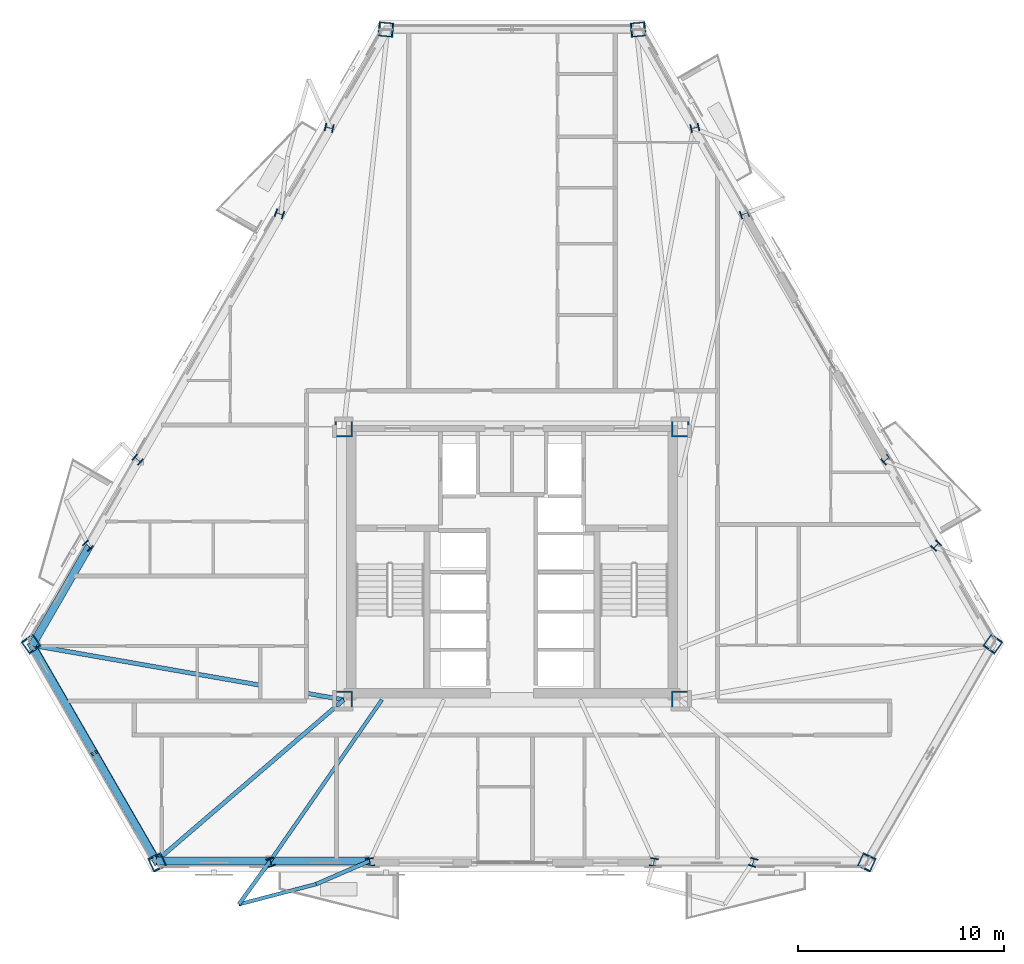
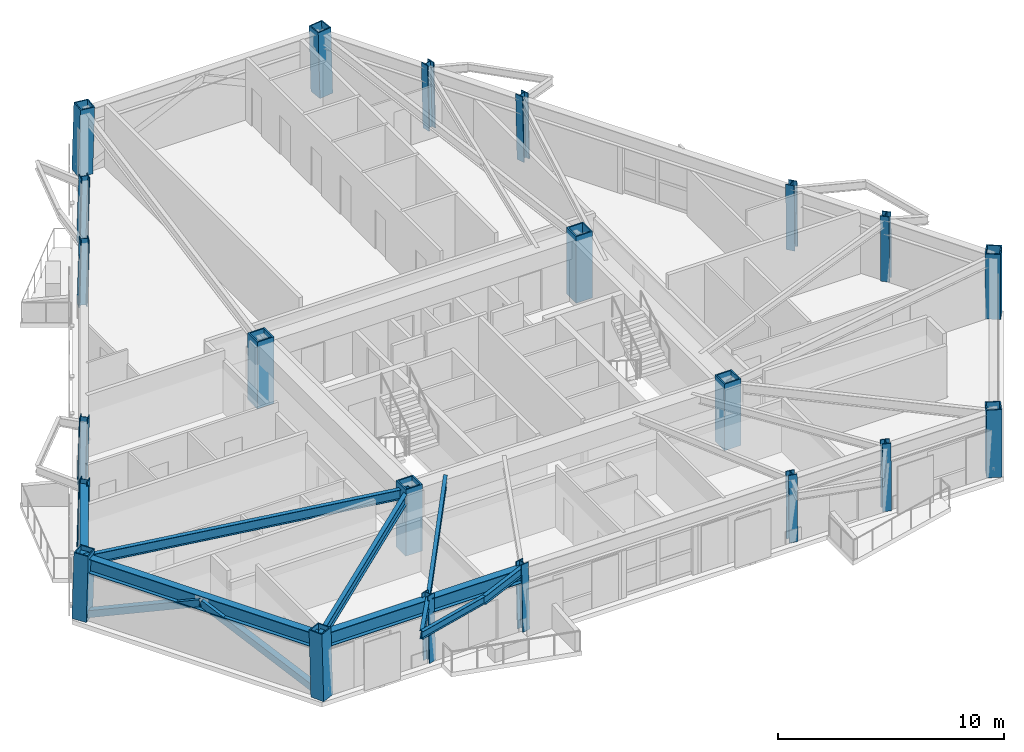
# One storey, part 1 of 15: 22 columns, 10 beams, 2 members.
"""IFC4 building model written with IfcOpenShell, lengths in metres."""

from ifc_helpers import new_model, si_unit, direction, frame, origin, origin_2d, place, context, subcontext, project, spatial, hollow_rectangle, i_section, extrude, material, material_profile, profile_set, type_object, element, save


model = new_model("IFC4")

# Units and contexts
model_context = context("Model", 3, precision=1e-05, world=origin(), true_north=direction((0.0, 1.0)))
body_context = subcontext(model_context, "Body", "Model", "MODEL_VIEW")
ifc_project = project(units=[si_unit("LENGTHUNIT", "METRE"), si_unit("AREAUNIT", "SQUARE_METRE"), si_unit("VOLUMEUNIT", "CUBIC_METRE"), si_unit("PLANEANGLEUNIT", "RADIAN"), si_unit("MASSUNIT", "GRAM", prefix="KILO")], contexts=[model_context])

# Site, building, storey
site_placement = place(None, origin())
site = spatial("IfcSite", under=ifc_project, at=site_placement, CompositionType="ELEMENT")
building_placement = place(site_placement, origin())
building = spatial("IfcBuilding", under=site, at=building_placement, Name="Oramaril Tower", CompositionType="ELEMENT")
storey_placement = place(building_placement, frame((0.0, 0.0, 93.300048828125)))
storey = spatial("IfcBuildingStorey", under=building, at=storey_placement, Name="L24", CompositionType="ELEMENT", Elevation=93.300048828125)

# Columns
ifc_material_1 = material(Name="Steel ASTM A572 Gr 50", Category="steel")
ifc_material_profile_1 = material_profile(ifc_material_1, hollow_rectangle(XDim=0.85009765625, YDim=0.85009765625, WallThickness=0.070068359375, at=origin_2d()), Name="BOX850X850X70")
ifc_profile_set_1 = profile_set([ifc_material_profile_1], Name="Steel ASTM A572 Gr 50")
column_type_1 = type_object("IfcColumnType", Name="CT-CC3", PredefinedType="COLUMN", material=ifc_profile_set_1)
for number, where, z_axis, x_axis, name in (
    (1, (29.35009765625, 11.0, 0.0), (0.0, 0.0, 1.0), (1.0, 0.0, 0.0), "L24 Core Column CC-1"),
    (2, (45.64990234375, 11.0, 0.0), (0.0, 0.0, 1.0), (1.0, 0.0, 0.0), "L24 Core Column CC-2"),
    (3, (45.64990234375, 24.14990234375, 0.0), (0.0, 0.0, 1.0), (1.0, 0.0, 0.0), "L24 Core Column CC-3"),
    (4, (29.35009765625, 24.14990234375, 0.0), (0.0, 0.0, 1.0), (1.0, 0.0, 0.0), "L24 Core Column CC-4"),
):
    element("IfcColumn", number, at=place(storey_placement, frame(where, z_axis=z_axis, x_axis=x_axis)), inside=storey, type_object=column_type_1, Name=name, PredefinedType="COLUMN", context=body_context, shape_type="SweptSolid", body=[
        extrude(hollow_rectangle(XDim=0.85009765625, YDim=0.85009765625, WallThickness=0.070068359375, at=origin_2d()), origin(), (0.0, 0.0, 1.0), 3.599853515625),
    ])
ifc_material_2 = material(Name="Steel ASTM A572 Gr 50", Category="steel")
ifc_material_profile_2 = material_profile(ifc_material_2, hollow_rectangle(XDim=0.699951171875, YDim=0.699951171875, WallThickness=0.054931640625, at=origin_2d()), Name="BOX700X700X55")
ifc_profile_set_2 = profile_set([ifc_material_profile_2], Name="Steel ASTM A572 Gr 50")
column_type_2 = type_object("IfcColumnType", Name="CT-TC4", PredefinedType="COLUMN", material=ifc_profile_set_2)
for number, where, z_axis, x_axis, name in (
    (5, (14.197265625, 13.71826171875, 0.00439453125), (0.015766870975, -0.022019250844, 0.999633211919), (0.81305469343, 0.582187311345, 0.0), "L24 Tube Column TC-01"),
    (6, (20.322021484375, 3.110107421875, 0.00439453125), (-0.011281473235, 0.024601766935, 0.999633673615), (-0.908985549323, -0.41682762759, 0.0), "L24 Tube Column TC-02"),
    (7, (54.677978515625, 3.110107421875, 0.00439453125), (0.011281473235, 0.024601766935, 0.999633673615), (-0.908985549323, 0.41682762759, 0.0), "L24 Tube Column TC-03"),
    (8, (60.802734375, 13.71826171875, 0.00439453125), (-0.015766870975, -0.022019250844, 0.999633211919), (0.81305469343, -0.582187311345, 0.0), "L24 Tube Column TC-04"),
    (9, (43.624755859375, 43.4716796875, 0.00439453125), (-0.026980362585, -0.00258250322, 0.999632627875), (0.095282394813, -0.995450282655, 0.0), "L24 Tube Column TC-05"),
    (10, (31.375244140625, 43.4716796875, 0.00439453125), (0.026980362585, -0.00258250322, 0.999632627875), (0.095282394813, 0.995450282655, 0.0), "L24 Tube Column TC-06"),
):
    element("IfcColumn", number, at=place(storey_placement, frame(where, z_axis=z_axis, x_axis=x_axis)), inside=storey, type_object=column_type_2, Name=name, PredefinedType="COLUMN", context=body_context, shape_type="SweptSolid", body=[
        extrude(hollow_rectangle(XDim=0.699951171875, YDim=0.699951171875, WallThickness=0.054931640625, at=origin_2d()), origin(), (0.0, 0.0, 1.0), 3.59228515625),
    ])
ifc_material_3 = material(Name="Steel ASTM A572 Gr 50", Category="steel")
ifc_material_profile_3 = material_profile(ifc_material_3, i_section(OverallWidth=0.404052734375, OverallDepth=0.406005859375, WebThickness=0.027099609375, FlangeThickness=0.043701171875, at=origin_2d()), Name="W14X233")
ifc_profile_set_3 = profile_set([ifc_material_profile_3], Name="Steel ASTM A572 Gr 50")
column_type_3 = type_object("IfcColumnType", Name="CT-TF3", PredefinedType="COLUMN", material=ifc_profile_set_3)
for number, where, z_axis, x_axis, name in (
    (11, (25.81884765625, 3.110107421875, 0.00439453125), (-0.007611860289, 0.024602619864, 0.999668330337), (-0.955321380053, -0.295569045762, 0.0), "L24 Tube Column TC-07"),
    (12, (30.62890625, 3.110107421875, 0.00439453125), (-0.004553608277, 0.024603077558, 0.999686927606), (-0.983300012762, -0.181991991312, 0.0), "L24 Tube Column TC-08"),
    (13, (44.37109375, 3.110107421875, 0.00439453125), (0.004553608277, 0.024603077558, 0.999686927606), (-0.983300012762, 0.181991991312, 0.0), "L24 Tube Column TC-09"),
    (14, (49.18115234375, 3.110107421875, 0.00439453125), (0.007611860289, 0.024602619864, 0.999668330337), (-0.955321380053, 0.295569045762, 0.0), "L24 Tube Column TC-10"),
    (15, (58.05419921875, 18.478759765625, 0.00439453125), (-0.017534453352, -0.018893713302, 0.99966773007), (0.732981277975, -0.680248811934, 0.0), "L24 Tube Column TC-11"),
    (16, (55.6494140625, 22.644287109375, 0.00439453125), (-0.019097965867, -0.01617550134, 0.999686761369), (0.64630736586, -0.763077184061, 0.0), "L24 Tube Column TC-12"),
    (17, (48.778076171875, 34.545654296875, 0.00439453125), (-0.023583599292, -0.008427568623, 0.999686345776), (0.336508304847, -0.941680498242, 0.0), "L24 Tube Column TC-13"),
    (18, (46.373291015625, 38.711181640625, 0.00439453125), (-0.02521422263, -0.005708880595, 0.999665769975), (0.220825652598, -0.975313298974, 0.0), "L24 Tube Column TC-14"),
    (19, (28.626708984375, 38.711181640625, 0.00439453125), (0.02521422263, -0.005708880595, 0.999665769975), (0.220825652598, 0.975313298974, 0.0), "L24 Tube Column TC-15"),
    (20, (26.221923828125, 34.545654296875, 0.00439453125), (0.023583599292, -0.008427568623, 0.999686345776), (0.336508304847, 0.941680498242, 0.0), "L24 Tube Column TC-16"),
    (21, (19.3505859375, 22.644287109375, 0.00439453125), (0.019097965867, -0.01617550134, 0.999686761369), (0.64630736586, 0.763077184061, 0.0), "L24 Tube Column TC-17"),
    (22, (16.94580078125, 18.478759765625, 0.00439453125), (0.017534453352, -0.018893713302, 0.99966773007), (0.732981277975, 0.680248811934, 0.0), "L24 Tube Column TC-18"),
):
    element("IfcColumn", number, at=place(storey_placement, frame(where, z_axis=z_axis, x_axis=x_axis)), inside=storey, type_object=column_type_3, Name=name, PredefinedType="COLUMN", context=body_context, shape_type="SweptSolid", body=[
        extrude(i_section(OverallWidth=0.404052734375, OverallDepth=0.406005859375, WebThickness=0.027099609375, FlangeThickness=0.043701171875, at=origin_2d()), origin(), (0.0, 0.0, 1.0), 3.59228515625),
    ])

# Beams
ifc_material_4 = material(Name="Steel ASTM A572 Gr 50", Category="steel")
ifc_material_profile_4 = material_profile(ifc_material_4, i_section(OverallWidth=0.19091796875, OverallDepth=0.45703125, WebThickness=0.009033203125, FlangeThickness=0.014404296875, at=origin_2d()), Name="W18X50")
ifc_profile_set_4 = profile_set([ifc_material_profile_4], Name="Steel ASTM A572 Gr 50")
beam_type_1 = type_object("IfcBeamType", Name="BT-BB1", PredefinedType="BEAM", material=ifc_profile_set_4)
beam_1_placement = place(storey_placement, frame((25.79150390625, 3.198486328125, 3.13134765625), z_axis=(-0.585572820924, -0.810619806935, 0.0), x_axis=(0.810619806935, -0.585572820924, 0.0)))
element("IfcBeam", 23, at=beam_1_placement, inside=storey, type_object=beam_type_1, Name="L24 Balcony Column-Framed Cantilever 01.1", PredefinedType="BEAM", context=body_context, shape_type="SweptSolid", body=[
    extrude(i_section(OverallWidth=0.19091796875, OverallDepth=0.45703125, WebThickness=0.009033203125, FlangeThickness=0.014404296875, at=origin_2d()), origin(), (0.0, 0.0, 1.0), 2.600341796875),
])
beam_2_placement = place(storey_placement, frame((30.612548828125, 3.198486328125, 3.13134765625), z_axis=(-0.917371129003, -0.398032927873, 0.0), x_axis=(0.398032927873, -0.917371129003, 0.0)))
element("IfcBeam", 24, at=beam_2_placement, inside=storey, type_object=beam_type_1, Name="L24 Balcony Column-Framed Cantilever 01.2", PredefinedType="BEAM", context=body_context, shape_type="SweptSolid", body=[
    extrude(i_section(OverallWidth=0.19091796875, OverallDepth=0.45703125, WebThickness=0.009033203125, FlangeThickness=0.014404296875, at=origin_2d()), origin(), (0.0, 0.0, 1.0), 2.833740234375),
])
ifc_material_5 = material(Name="Steel ASTM A572 Gr 50", Category="steel")
ifc_material_profile_5 = material_profile(ifc_material_5, i_section(OverallWidth=0.2099609375, OverallDepth=0.535888671875, WebThickness=0.010986328125, FlangeThickness=0.017333984375, at=origin_2d()), Name="W21X68")
ifc_profile_set_5 = profile_set([ifc_material_profile_5], Name="Steel ASTM A572 Gr 50")
beam_type_2 = type_object("IfcBeamType", Name="BT-FB2", PredefinedType="BEAM", material=ifc_profile_set_5)
beam_3_placement = place(storey_placement, frame((29.35009765625, 11.0, 3.092041015625), z_axis=(-0.985060072738, 0.172211071357, 0.0), x_axis=(-0.172211071357, -0.985060072738, 0.0)))
element("IfcBeam", 25, at=beam_3_placement, inside=storey, type_object=beam_type_2, Name="L24 Radial Primary Beam RB-01", PredefinedType="BEAM", context=body_context, shape_type="SweptSolid", body=[
    extrude(i_section(OverallWidth=0.2099609375, OverallDepth=0.535888671875, WebThickness=0.010986328125, FlangeThickness=0.017333984375, at=origin_2d()), origin(), (0.0, 0.0, 1.0), 15.3251953125),
])
beam_4_placement = place(storey_placement, frame((29.35009765625, 11.0, 3.092041015625), z_axis=(-0.758081266074, -0.652160098463, 0.0), x_axis=(0.652160098463, -0.758081266074, 0.0)))
element("IfcBeam", 26, at=beam_4_placement, inside=storey, type_object=beam_type_2, Name="L24 Radial Primary Beam RB-02", PredefinedType="BEAM", context=body_context, shape_type="SweptSolid", body=[
    extrude(i_section(OverallWidth=0.2099609375, OverallDepth=0.535888671875, WebThickness=0.010986328125, FlangeThickness=0.017333984375, at=origin_2d()), origin(), (0.0, 0.0, 1.0), 11.962646484375),
])
ifc_material_6 = material(Name="Steel ASTM A572 Gr 50", Category="steel")
ifc_material_profile_6 = material_profile(ifc_material_6, i_section(OverallWidth=0.177978515625, OverallDepth=0.404052734375, WebThickness=0.007568359375, FlangeThickness=0.010986328125, at=origin_2d()), Name="W16X36")
ifc_profile_set_6 = profile_set([ifc_material_profile_6], Name="Steel ASTM A572 Gr 50")
beam_type_3 = type_object("IfcBeamType", Name="BT-SB1", PredefinedType="BEAM", material=ifc_profile_set_6)
beam_5_placement = place(storey_placement, frame((31.199951171875, 11.0, 3.157958984375), z_axis=(-0.569736777803, -0.821827234897, 0.0), x_axis=(0.821827234897, -0.569736777803, 0.0)))
element("IfcBeam", 27, at=beam_5_placement, inside=storey, type_object=beam_type_3, Name="L24 Secondary Floor Beam SB-01", PredefinedType="BEAM", context=body_context, shape_type="SweptSolid", body=[
    extrude(i_section(OverallWidth=0.177978515625, OverallDepth=0.404052734375, WebThickness=0.007568359375, FlangeThickness=0.010986328125, at=origin_2d()), origin(), (0.0, 0.0, 1.0), 9.492919921875),
])
beam_6_placement = place(storey_placement, frame((24.268798828125, 1.090576171875, 3.157958984375), z_axis=(0.967411967632, 0.253207592467, 0.0), x_axis=(-0.253207592467, 0.967411967632, 0.0)))
element("IfcBeam", 28, at=beam_6_placement, inside=storey, type_object=beam_type_3, Name="L24 Balcony Edge Tie Beam 01", PredefinedType="BEAM", context=body_context, shape_type="SweptSolid", body=[
    extrude(i_section(OverallWidth=0.177978515625, OverallDepth=0.404052734375, WebThickness=0.007568359375, FlangeThickness=0.010986328125, at=origin_2d()), origin(), (0.0, 0.0, 1.0), 3.870361328125),
])
ifc_material_7 = material(Name="Steel ASTM A572 Gr 50", Category="steel")
ifc_material_profile_7 = material_profile(ifc_material_7, i_section(OverallWidth=0.381103515625, OverallDepth=0.77197265625, WebThickness=0.0166015625, FlangeThickness=0.027099609375, at=origin_2d()), Name="W30X173")
ifc_profile_set_7 = profile_set([ifc_material_profile_7], Name="Steel ASTM A572 Gr 50")
beam_type_4 = type_object("IfcBeamType", Name="BT-SP2", PredefinedType="SPANDREL", material=ifc_profile_set_7)
beam_7_placement = place(storey_placement, frame((14.25390625, 13.63916015625, 2.973876953125), z_axis=(0.499978975251, -0.866037542088, 0.0), x_axis=(0.866037542088, 0.499978975251, 0.0)))
element("IfcBeam", 29, at=beam_7_placement, inside=storey, type_object=beam_type_4, Name="L24 Perimeter Spandrel 01", PredefinedType="SPANDREL", context=body_context, shape_type="SweptSolid", body=[
    extrude(i_section(OverallWidth=0.381103515625, OverallDepth=0.77197265625, WebThickness=0.0166015625, FlangeThickness=0.027099609375, at=origin_2d()), origin(), (0.0, 0.0, 1.0), 12.0556640625),
])
beam_8_placement = place(storey_placement, frame((20.281494140625, 3.198486328125, 2.973876953125), z_axis=(1.0, 0.0, 0.0), x_axis=(0.0, 1.0, 0.0)))
element("IfcBeam", 30, at=beam_8_placement, inside=storey, type_object=beam_type_4, Name="L24 Perimeter Spandrel 02", PredefinedType="SPANDREL", context=body_context, shape_type="SweptSolid", body=[
    extrude(i_section(OverallWidth=0.381103515625, OverallDepth=0.77197265625, WebThickness=0.0166015625, FlangeThickness=0.027099609375, at=origin_2d()), origin(), (0.0, 0.0, 1.0), 5.510009765625),
])
beam_9_placement = place(storey_placement, frame((25.79150390625, 3.198486328125, 2.973876953125), z_axis=(1.0, 0.0, 0.0), x_axis=(0.0, 1.0, 0.0)))
element("IfcBeam", 31, at=beam_9_placement, inside=storey, type_object=beam_type_4, Name="L24 Perimeter Spandrel 03", PredefinedType="SPANDREL", context=body_context, shape_type="SweptSolid", body=[
    extrude(i_section(OverallWidth=0.381103515625, OverallDepth=0.77197265625, WebThickness=0.0166015625, FlangeThickness=0.027099609375, at=origin_2d()), origin(), (0.0, 0.0, 1.0), 4.821044921875),
])
beam_10_placement = place(storey_placement, frame((17.0087890625, 18.410888671875, 2.973876953125), z_axis=(-0.499989664371, -0.86603137098, 0.0), x_axis=(0.86603137098, -0.499989664371, 0.0)))
element("IfcBeam", 32, at=beam_10_placement, inside=storey, type_object=beam_type_4, Name="L24 Perimeter Spandrel 18", PredefinedType="SPANDREL", context=body_context, shape_type="SweptSolid", body=[
    extrude(i_section(OverallWidth=0.381103515625, OverallDepth=0.77197265625, WebThickness=0.0166015625, FlangeThickness=0.027099609375, at=origin_2d()), origin(), (0.0, 0.0, 1.0), 5.509765625),
])

# Members
ifc_material_8 = material(Name="Steel ASTM A572 Gr 50", Category="steel")
ifc_material_profile_8 = material_profile(ifc_material_8, hollow_rectangle(XDim=0.35009765625, YDim=0.35009765625, WallThickness=0.01611328125, at=origin_2d()), Name="HSS350X350X16")
ifc_profile_set_8 = profile_set([ifc_material_profile_8], Name="Steel ASTM A572 Gr 50")
member_type = type_object("IfcMemberType", Name="MT-KB1", PredefinedType="BRACE", material=ifc_profile_set_8)
member_1_placement = place(storey_placement, frame((14.197265625, 13.71826171875, 0.179931640625), z_axis=(0.45488934877, -0.787923622049, 0.415032584495), x_axis=(0.866034240187, 0.49998469459, 0.0)))
element("IfcMember", 33, at=member_1_placement, inside=storey, type_object=member_type, Name="L24 Perimeter Chevron Brace KB-1A", PredefinedType="BRACE", context=body_context, shape_type="SweptSolid", body=[
    extrude(hollow_rectangle(XDim=0.35009765625, YDim=0.35009765625, WallThickness=0.01611328125, at=origin_2d()), origin(), (0.0, 0.0, 1.0), 6.73193359375),
])
member_2_placement = place(storey_placement, frame((20.322021484375, 3.110107421875, 0.179931640625), z_axis=(-0.454931109232, 0.787896870859, 0.415037596783), x_axis=(-0.866007013454, -0.500031851635, 0.0)))
element("IfcMember", 34, at=member_2_placement, inside=storey, type_object=member_type, Name="L24 Perimeter Chevron Brace KB-1B", PredefinedType="BRACE", context=body_context, shape_type="SweptSolid", body=[
    extrude(hollow_rectangle(XDim=0.35009765625, YDim=0.35009765625, WallThickness=0.01611328125, at=origin_2d()), origin(), (0.0, 0.0, 1.0), 6.731689453125),
])

save(model, "model.ifc")
